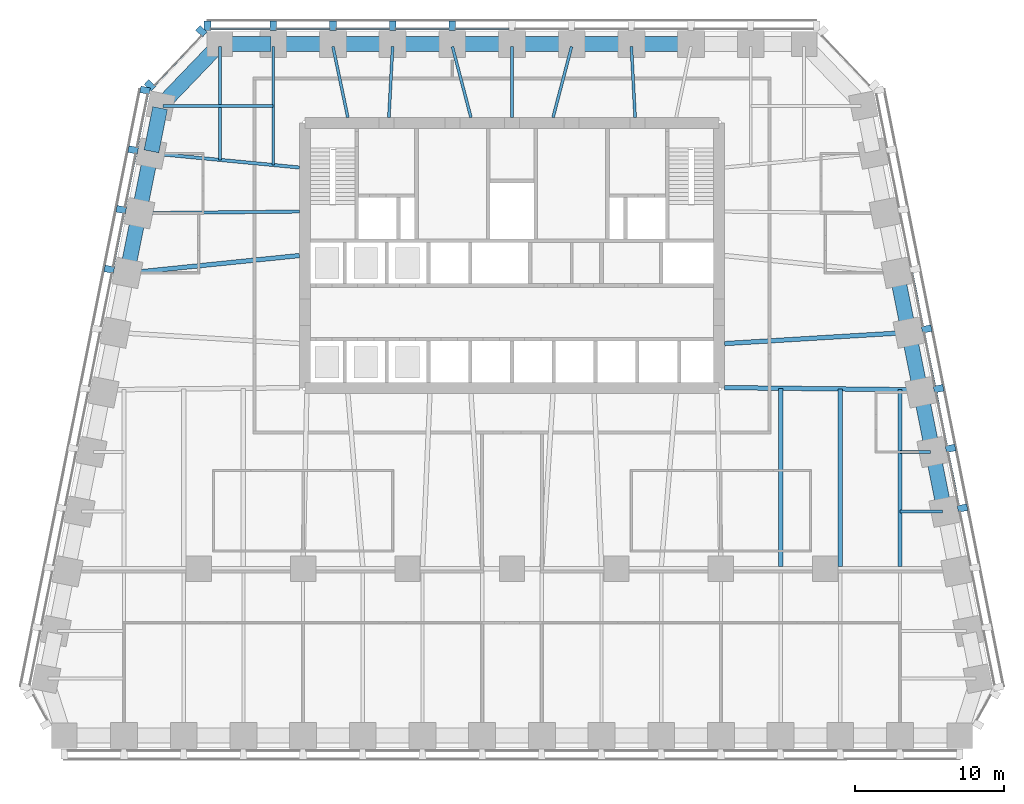
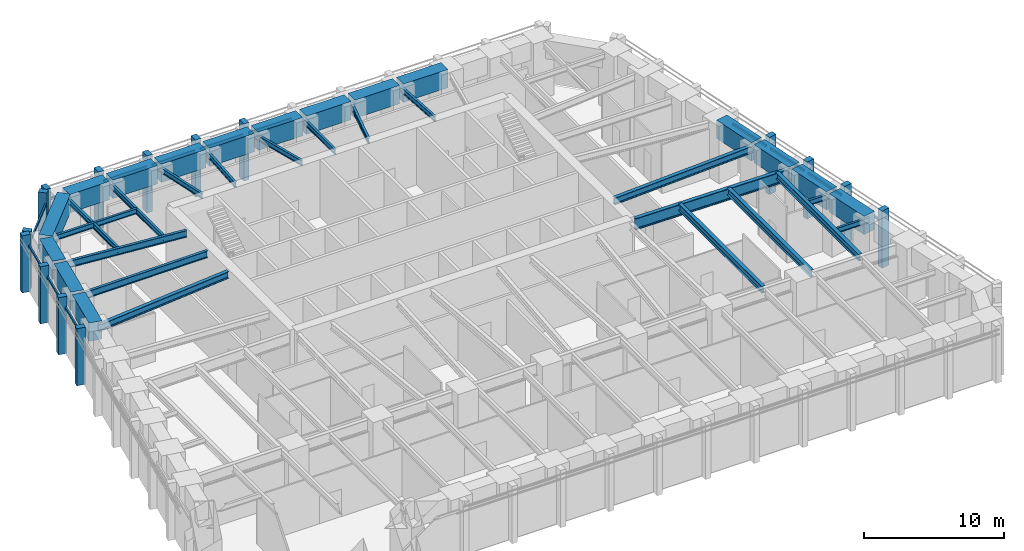
# One storey, part 3 of 11: 35 beams, 28 members, 4 elements without a shape of their own.
"""IFC4 building model written with IfcOpenShell, lengths in metres."""

from ifc_helpers import new_model, si_unit, direction, frame, origin, origin_2d, place, context, subcontext, project, spatial, rectangle, i_section, extrude, material, material_profile, profile_set, type_object, element, aggregate, save


model = new_model("IFC4")

# Units and contexts
model_context = context("Model", 3, precision=1e-05, world=origin(), true_north=direction((0.0, 1.0)))
body_context = subcontext(model_context, "Body", "Model", "MODEL_VIEW")
ifc_project = project(units=[si_unit("LENGTHUNIT", "METRE"), si_unit("AREAUNIT", "SQUARE_METRE"), si_unit("VOLUMEUNIT", "CUBIC_METRE"), si_unit("PLANEANGLEUNIT", "RADIAN"), si_unit("MASSUNIT", "GRAM", prefix="KILO")], contexts=[model_context])

# Site, building, storey
site_placement = place(None, origin())
site = spatial("IfcSite", under=ifc_project, at=site_placement, CompositionType="ELEMENT")
building_placement = place(site_placement, origin())
building = spatial("IfcBuilding", under=site, at=building_placement, Name="Isbrekke Arena Tower", CompositionType="ELEMENT")
storey_placement = place(building_placement, frame((0.0, 0.0, 98.0)))
storey = spatial("IfcBuildingStorey", under=building, at=storey_placement, Name="L21", CompositionType="ELEMENT", Elevation=98.0)

# Beams
ifc_material_1 = material(Name="Steel S355", Category="steel")
ifc_material_profile_1 = material_profile(ifc_material_1, i_section(OverallWidth=0.219970703125, OverallDepth=0.60009765625, WebThickness=0.011962890625, FlangeThickness=0.01904296875, FilletRadius=0.02392578125, at=origin_2d()), Name="IPE 600")
ifc_profile_set_1 = profile_set([ifc_material_profile_1], Name="Steel S355")
beam_type_1 = type_object("IfcBeamType", Name="B1 IPE 600", PredefinedType="BEAM", material=ifc_profile_set_1)
beam_1_placement = place(storey_placement, frame((-24.030517578125, 21.837158203125, 4.550048828125), z_axis=(0.995439798606, -0.095391862082, 0.0), x_axis=(0.095391862082, 0.995439798606, 0.0)))
element("IfcBeam", 1, at=beam_1_placement, inside=storey, type_object=beam_type_1, Name="B1 beam E-W02 L21", PredefinedType="BEAM", context=body_context, shape_type="SweptSolid", body=[
    extrude(i_section(OverallWidth=0.219970703125, OverallDepth=0.60009765625, WebThickness=0.011962890625, FlangeThickness=0.01904296875, FilletRadius=0.02392578125, at=origin_2d()), origin(), (0.0, 0.0, 1.0), 9.825439453125),
])
beam_2_placement = place(storey_placement, frame((-24.83984375, 17.838134765625, 4.550048828125), z_axis=(0.999944260169, 0.010558245831, 0.0), x_axis=(-0.010558245831, 0.999944260169, 0.0)))
element("IfcBeam", 2, at=beam_2_placement, inside=storey, type_object=beam_type_1, Name="B1 beam E-W03 L21", PredefinedType="BEAM", context=body_context, shape_type="SweptSolid", body=[
    extrude(i_section(OverallWidth=0.219970703125, OverallDepth=0.60009765625, WebThickness=0.011962890625, FlangeThickness=0.01904296875, FilletRadius=0.02392578125, at=origin_2d()), origin(), (0.0, 0.0, 1.0), 10.59033203125),
])
ifc_material_2 = material(Name="Steel S355", Category="steel")
ifc_material_profile_2 = material_profile(ifc_material_2, i_section(OverallWidth=0.18994140625, OverallDepth=0.449951171875, WebThickness=0.009521484375, FlangeThickness=0.0146484375, FilletRadius=0.02099609375, at=origin_2d()), Name="IPE 450")
ifc_profile_set_2 = profile_set([ifc_material_profile_2], Name="Steel S355")
beam_type_2 = type_object("IfcBeamType", Name="B2 IPE 450", PredefinedType="BEAM", material=ifc_profile_set_2)
beam_3_placement = place(storey_placement, frame((28.841064453125, -2.161865234375, 4.625), z_axis=(-1.0, 0.0, 0.0), x_axis=(0.0, -1.0, 0.0)))
element("IfcBeam", 3, at=beam_3_placement, inside=storey, type_object=beam_type_2, Name="B2 beam E-E04 L21", PredefinedType="BEAM", context=body_context, shape_type="SweptSolid", body=[
    extrude(i_section(OverallWidth=0.18994140625, OverallDepth=0.449951171875, WebThickness=0.009521484375, FlangeThickness=0.0146484375, FilletRadius=0.02099609375, at=origin_2d()), origin(), (0.0, 0.0, 1.0), 2.841064453125),
])
beam_4_placement = place(storey_placement, frame((28.041015625, 1.838134765625, 4.625), z_axis=(-1.0, 0.0, 0.0), x_axis=(0.0, -1.0, 0.0)))
element("IfcBeam", 4, at=beam_4_placement, inside=storey, type_object=beam_type_2, Name="B2 beam E-E05 L21", PredefinedType="BEAM", context=body_context, shape_type="SweptSolid", body=[
    extrude(i_section(OverallWidth=0.18994140625, OverallDepth=0.449951171875, WebThickness=0.009521484375, FlangeThickness=0.0146484375, FilletRadius=0.02099609375, at=origin_2d()), origin(), (0.0, 0.0, 1.0), 2.041015625),
])
beam_5_placement = place(storey_placement, frame((-23.40283203125, 25.029296875, 4.625), z_axis=(1.0, 0.0, 0.0), x_axis=(0.0, 1.0, 0.0)))
element("IfcBeam", 5, at=beam_5_placement, inside=storey, type_object=beam_type_2, Name="B2 beam E-W01 L21", PredefinedType="BEAM", context=body_context, shape_type="SweptSolid", body=[
    extrude(i_section(OverallWidth=0.18994140625, OverallDepth=0.449951171875, WebThickness=0.009521484375, FlangeThickness=0.0146484375, FilletRadius=0.02099609375, at=origin_2d()), origin(), (0.0, 0.0, 1.0), 7.40283203125),
])
ifc_material_3 = material(Name="Steel S355", Category="steel")
ifc_material_profile_3 = material_profile(ifc_material_3, i_section(OverallWidth=0.18994140625, OverallDepth=0.449951171875, WebThickness=0.009521484375, FlangeThickness=0.0146484375, FilletRadius=0.02099609375, at=origin_2d()), Name="IPE 450")
ifc_profile_set_3 = profile_set([ifc_material_profile_3], Name="Steel S355")
beam_type_3 = type_object("IfcBeamType", Name="B3 IPE 450", PredefinedType="BEAM", material=ifc_profile_set_3)
beam_6_placement = place(storey_placement, frame((-16.0, 29.02490234375, 4.625), z_axis=(0.0, -1.0, 0.0), x_axis=(1.0, 0.0, 0.0)))
element("IfcBeam", 6, at=beam_6_placement, inside=storey, type_object=beam_type_3, Name="B3 beam N-N10 L21", PredefinedType="BEAM", context=body_context, shape_type="SweptSolid", body=[
    extrude(i_section(OverallWidth=0.18994140625, OverallDepth=0.449951171875, WebThickness=0.009521484375, FlangeThickness=0.0146484375, FilletRadius=0.02099609375, at=origin_2d()), origin(), (0.0, 0.0, 1.0), 7.957275390625),
])
beam_7_placement = place(storey_placement, frame((-19.574951171875, 29.02490234375, 4.625), z_axis=(0.0, -1.0, 0.0), x_axis=(1.0, 0.0, 0.0)))
element("IfcBeam", 7, at=beam_7_placement, inside=storey, type_object=beam_type_3, Name="B3 beam N-N11 L21", PredefinedType="BEAM", context=body_context, shape_type="SweptSolid", body=[
    extrude(i_section(OverallWidth=0.18994140625, OverallDepth=0.449951171875, WebThickness=0.009521484375, FlangeThickness=0.0146484375, FilletRadius=0.02099609375, at=origin_2d()), origin(), (0.0, 0.0, 1.0), 7.61474609375),
])
beam_8_placement = place(storey_placement, frame((8.000244140625, 29.02001953125, 4.625), z_axis=(0.052287879538, -0.998632053187, 0.0), x_axis=(0.998632053187, 0.052287879538, 0.0)))
element("IfcBeam", 8, at=beam_8_placement, inside=storey, type_object=beam_type_3, Name="B3 beam N-N04 L21", PredefinedType="BEAM", context=body_context, shape_type="SweptSolid", body=[
    extrude(i_section(OverallWidth=0.18994140625, OverallDepth=0.449951171875, WebThickness=0.009521484375, FlangeThickness=0.0146484375, FilletRadius=0.02099609375, at=origin_2d()), origin(), (0.0, 0.0, 1.0), 4.776611328125),
])
beam_9_placement = place(storey_placement, frame((3.993896484375, 29.001708984375, 4.625), z_axis=(-0.253245319824, -0.967402092197, 0.0), x_axis=(0.967402092197, -0.253245319824, 0.0)))
element("IfcBeam", 9, at=beam_9_placement, inside=storey, type_object=beam_type_3, Name="B3 beam N-N05 L21", PredefinedType="BEAM", context=body_context, shape_type="SweptSolid", body=[
    extrude(i_section(OverallWidth=0.18994140625, OverallDepth=0.449951171875, WebThickness=0.009521484375, FlangeThickness=0.0146484375, FilletRadius=0.02099609375, at=origin_2d()), origin(), (0.0, 0.0, 1.0), 4.911865234375),
])
beam_10_placement = place(storey_placement, frame((0.0, 29.02490234375, 4.625), z_axis=(0.0, -1.0, 0.0), x_axis=(1.0, 0.0, 0.0)))
element("IfcBeam", 10, at=beam_10_placement, inside=storey, type_object=beam_type_3, Name="B3 beam N-N06 L21", PredefinedType="BEAM", context=body_context, shape_type="SweptSolid", body=[
    extrude(i_section(OverallWidth=0.18994140625, OverallDepth=0.449951171875, WebThickness=0.009521484375, FlangeThickness=0.0146484375, FilletRadius=0.02099609375, at=origin_2d()), origin(), (0.0, 0.0, 1.0), 4.77490234375),
])
beam_11_placement = place(storey_placement, frame((-3.993896484375, 29.001708984375, 4.625), z_axis=(0.253245319824, -0.967402092197, 0.0), x_axis=(0.967402092197, 0.253245319824, 0.0)))
element("IfcBeam", 11, at=beam_11_placement, inside=storey, type_object=beam_type_3, Name="B3 beam N-N07 L21", PredefinedType="BEAM", context=body_context, shape_type="SweptSolid", body=[
    extrude(i_section(OverallWidth=0.18994140625, OverallDepth=0.449951171875, WebThickness=0.009521484375, FlangeThickness=0.0146484375, FilletRadius=0.02099609375, at=origin_2d()), origin(), (0.0, 0.0, 1.0), 4.911865234375),
])
beam_12_placement = place(storey_placement, frame((-8.000244140625, 29.02001953125, 4.625), z_axis=(-0.052287879538, -0.998632053187, 0.0), x_axis=(0.998632053187, -0.052287879538, 0.0)))
element("IfcBeam", 12, at=beam_12_placement, inside=storey, type_object=beam_type_3, Name="B3 beam N-N08 L21", PredefinedType="BEAM", context=body_context, shape_type="SweptSolid", body=[
    extrude(i_section(OverallWidth=0.18994140625, OverallDepth=0.449951171875, WebThickness=0.009521484375, FlangeThickness=0.0146484375, FilletRadius=0.02099609375, at=origin_2d()), origin(), (0.0, 0.0, 1.0), 4.776611328125),
])
beam_13_placement = place(storey_placement, frame((-11.99609375, 29.005859375, 4.625), z_axis=(0.20499748459, -0.978762499952, 0.0), x_axis=(0.978762499952, 0.20499748459, 0.0)))
element("IfcBeam", 13, at=beam_13_placement, inside=storey, type_object=beam_type_3, Name="B3 beam N-N09 L21", PredefinedType="BEAM", context=body_context, shape_type="SweptSolid", body=[
    extrude(i_section(OverallWidth=0.18994140625, OverallDepth=0.449951171875, WebThickness=0.009521484375, FlangeThickness=0.0146484375, FilletRadius=0.02099609375, at=origin_2d()), origin(), (0.0, 0.0, 1.0), 4.859130859375),
])
ifc_material_4 = material(Name="Steel S355", Category="steel")
ifc_material_profile_4 = material_profile(ifc_material_4, i_section(OverallWidth=0.300048828125, OverallDepth=0.60009765625, WebThickness=0.015380859375, FlangeThickness=0.030029296875, FilletRadius=0.027099609375, at=origin_2d()), Name="HEB 600")
ifc_profile_set_4 = profile_set([ifc_material_profile_4], Name="Steel S355")
beam_type_4 = type_object("IfcBeamType", Name="B7 HEB 600", PredefinedType="BEAM", material=ifc_profile_set_4)
beam_14_placement = place(storey_placement, frame((18.0, -5.84912109375, 4.550048828125), z_axis=(0.0, 1.0, 0.0), x_axis=(-1.0, 0.0, 0.0)))
element("IfcBeam", 14, at=beam_14_placement, inside=storey, type_object=beam_type_4, Name="B7 beam C-M12 L21", PredefinedType="BEAM", context=body_context, shape_type="SweptSolid", body=[
    extrude(i_section(OverallWidth=0.300048828125, OverallDepth=0.60009765625, WebThickness=0.015380859375, FlangeThickness=0.030029296875, FilletRadius=0.027099609375, at=origin_2d()), origin(), (0.0, 0.0, 1.0), 11.956298828125),
])
beam_15_placement = place(storey_placement, frame((22.0, -5.84912109375, 4.550048828125), z_axis=(0.0, 1.0, 0.0), x_axis=(-1.0, 0.0, 0.0)))
element("IfcBeam", 15, at=beam_15_placement, inside=storey, type_object=beam_type_4, Name="B7 beam C-M13 L21", PredefinedType="BEAM", context=body_context, shape_type="SweptSolid", body=[
    extrude(i_section(OverallWidth=0.300048828125, OverallDepth=0.60009765625, WebThickness=0.015380859375, FlangeThickness=0.030029296875, FilletRadius=0.027099609375, at=origin_2d()), origin(), (0.0, 0.0, 1.0), 11.91064453125),
])
beam_16_placement = place(storey_placement, frame((26.0, -5.84912109375, 4.550048828125), z_axis=(0.0, 1.0, 0.0), x_axis=(-1.0, 0.0, 0.0)))
element("IfcBeam", 16, at=beam_16_placement, inside=storey, type_object=beam_type_4, Name="B7 beam C-M14 L21", PredefinedType="BEAM", context=body_context, shape_type="SweptSolid", body=[
    extrude(i_section(OverallWidth=0.300048828125, OverallDepth=0.60009765625, WebThickness=0.015380859375, FlangeThickness=0.030029296875, FilletRadius=0.027099609375, at=origin_2d()), origin(), (0.0, 0.0, 1.0), 11.864990234375),
])
beam_17_placement = place(storey_placement, frame((26.431884765625, 9.837646484375, 4.550048828125), z_axis=(-0.998172191876, -0.060434057993, 0.0), x_axis=(0.060434057993, -0.998172191876, 0.0)))
element("IfcBeam", 17, at=beam_17_placement, inside=storey, type_object=beam_type_4, Name="B7 beam E-E07 L21", PredefinedType="BEAM", context=body_context, shape_type="SweptSolid", body=[
    extrude(i_section(OverallWidth=0.300048828125, OverallDepth=0.60009765625, WebThickness=0.015380859375, FlangeThickness=0.030029296875, FilletRadius=0.027099609375, at=origin_2d()), origin(), (0.0, 0.0, 1.0), 12.2041015625),
])
beam_18_placement = place(storey_placement, frame((-25.6259765625, 13.83984375, 4.550048828125), z_axis=(0.994839949319, 0.10145676537, 0.0), x_axis=(-0.10145676537, 0.994839949319, 0.0)))
element("IfcBeam", 18, at=beam_18_placement, inside=storey, type_object=beam_type_4, Name="B7 beam E-W04 L21", PredefinedType="BEAM", context=body_context, shape_type="SweptSolid", body=[
    extrude(i_section(OverallWidth=0.300048828125, OverallDepth=0.60009765625, WebThickness=0.015380859375, FlangeThickness=0.030029296875, FilletRadius=0.027099609375, at=origin_2d()), origin(), (0.0, 0.0, 1.0), 11.43505859375),
])

# Curtain wall, members
ifc_material_5 = material(Name="Glazed aluminium curtain wall", Category="aluminium")
curtain_wall_type = type_object("IfcCurtainWallType", Name="CWS SKY LOBBY CURTAIN WALL", PredefinedType="USERDEFINED", material=ifc_material_5)
curtain_wall_1_placement = place(storey_placement, origin())
curtain_wall_1 = element("IfcCurtainWall", 19, at=curtain_wall_1_placement, inside=storey, type_object=curtain_wall_type, Name="CWS curtain wall L21-E", ObjectType="SKY LOBBY CURTAIN WALL", PredefinedType="USERDEFINED")
ifc_material_6 = material(Name="Aluminium mullion, pale brick slip cladding", Category="masonry")
ifc_material_profile_5 = material_profile(ifc_material_6, rectangle(XDim=0.449951171875, YDim=0.64990234375, at=origin_2d()), Name="PIER 450X650")
ifc_profile_set_5 = profile_set([ifc_material_profile_5], Name="Aluminium mullion, pale brick slip cladding")
member_type_1 = type_object("IfcMemberType", Name="CWS-M PIER MULLION 450 x 650", PredefinedType="MULLION", material=ifc_profile_set_5)
member_1_placement = place(storey_placement, frame((30.192138671875, -1.921630859375, 0.0), z_axis=(0.0, 0.0, 1.0), x_axis=(-0.196116135138, 0.980580675691, 0.0)))
member_1 = element("IfcMember", 20, at=member_1_placement, type_object=member_type_1, Name="CWS-M mullion 4", PredefinedType="MULLION", context=body_context, shape_type="SweptSolid", body=[
    extrude(rectangle(XDim=0.449951171875, YDim=0.64990234375, at=origin_2d()), origin(), (0.0, 0.0, 1.0), 5.0),
])
member_2_placement = place(storey_placement, frame((29.392333984375, 2.078369140625, 0.0), z_axis=(0.0, 0.0, 1.0), x_axis=(-0.196116135138, 0.980580675691, 0.0)))
member_2 = element("IfcMember", 21, at=member_2_placement, type_object=member_type_1, Name="CWS-M mullion 5", PredefinedType="MULLION", context=body_context, shape_type="SweptSolid", body=[
    extrude(rectangle(XDim=0.449951171875, YDim=0.64990234375, at=origin_2d()), origin(), (0.0, 0.0, 1.0), 5.0),
])
member_3_placement = place(storey_placement, frame((28.59228515625, 6.078369140625, 0.0), z_axis=(0.0, 0.0, 1.0), x_axis=(-0.196116135138, 0.980580675691, 0.0)))
member_3 = element("IfcMember", 22, at=member_3_placement, type_object=member_type_1, Name="CWS-M mullion 6", PredefinedType="MULLION", context=body_context, shape_type="SweptSolid", body=[
    extrude(rectangle(XDim=0.449951171875, YDim=0.64990234375, at=origin_2d()), origin(), (0.0, 0.0, 1.0), 5.0),
])
member_4_placement = place(storey_placement, frame((27.792236328125, 10.078369140625, 0.0), z_axis=(0.0, 0.0, 1.0), x_axis=(-0.196116135138, 0.980580675691, 0.0)))
member_4 = element("IfcMember", 23, at=member_4_placement, type_object=member_type_1, Name="CWS-M mullion 7", PredefinedType="MULLION", context=body_context, shape_type="SweptSolid", body=[
    extrude(rectangle(XDim=0.449951171875, YDim=0.64990234375, at=origin_2d()), origin(), (0.0, 0.0, 1.0), 5.0),
])

curtain_wall_2_placement = place(storey_placement, origin())
curtain_wall_2 = element("IfcCurtainWall", 24, at=curtain_wall_2_placement, inside=storey, type_object=curtain_wall_type, Name="CWS curtain wall L21-N", ObjectType="SKY LOBBY CURTAIN WALL", PredefinedType="USERDEFINED")
member_5_placement = place(storey_placement, frame((-4.0, 30.39990234375, 0.0), z_axis=(0.0, 0.0, 1.0), x_axis=(-1.0, 0.0, 0.0)))
member_5 = element("IfcMember", 25, at=member_5_placement, type_object=member_type_1, Name="CWS-M mullion 7", PredefinedType="MULLION", context=body_context, shape_type="SweptSolid", body=[
    extrude(rectangle(XDim=0.449951171875, YDim=0.64990234375, at=origin_2d()), origin(), (0.0, 0.0, 1.0), 5.0),
])
member_6_placement = place(storey_placement, frame((-8.0, 30.39990234375, 0.0), z_axis=(0.0, 0.0, 1.0), x_axis=(-1.0, 0.0, 0.0)))
member_6 = element("IfcMember", 26, at=member_6_placement, type_object=member_type_1, Name="CWS-M mullion 8", PredefinedType="MULLION", context=body_context, shape_type="SweptSolid", body=[
    extrude(rectangle(XDim=0.449951171875, YDim=0.64990234375, at=origin_2d()), origin(), (0.0, 0.0, 1.0), 5.0),
])
member_7_placement = place(storey_placement, frame((-12.0, 30.39990234375, 0.0), z_axis=(0.0, 0.0, 1.0), x_axis=(-1.0, 0.0, 0.0)))
member_7 = element("IfcMember", 27, at=member_7_placement, type_object=member_type_1, Name="CWS-M mullion 9", PredefinedType="MULLION", context=body_context, shape_type="SweptSolid", body=[
    extrude(rectangle(XDim=0.449951171875, YDim=0.64990234375, at=origin_2d()), origin(), (0.0, 0.0, 1.0), 5.0),
])
member_8_placement = place(storey_placement, frame((-16.0, 30.39990234375, 0.0), z_axis=(0.0, 0.0, 1.0), x_axis=(-1.0, 0.0, 0.0)))
member_8 = element("IfcMember", 28, at=member_8_placement, type_object=member_type_1, Name="CWS-M mullion 10", PredefinedType="MULLION", context=body_context, shape_type="SweptSolid", body=[
    extrude(rectangle(XDim=0.449951171875, YDim=0.64990234375, at=origin_2d()), origin(), (0.0, 0.0, 1.0), 5.0),
])
member_9_placement = place(storey_placement, frame((-20.39990234375, 30.39990234375, 0.0), z_axis=(0.0, 0.0, 1.0), x_axis=(-1.0, 0.0, 0.0)))
member_9 = element("IfcMember", 29, at=member_9_placement, type_object=member_type_1, Name="CWS-M mullion 11", PredefinedType="MULLION", context=body_context, shape_type="SweptSolid", body=[
    extrude(rectangle(XDim=0.449951171875, YDim=0.64990234375, at=origin_2d()), origin(), (0.0, 0.0, 1.0), 5.0),
])

curtain_wall_3_placement = place(storey_placement, origin())
curtain_wall_3 = element("IfcCurtainWall", 30, at=curtain_wall_3_placement, inside=storey, type_object=curtain_wall_type, Name="CWS curtain wall L21-NW", ObjectType="SKY LOBBY CURTAIN WALL", PredefinedType="USERDEFINED")
member_10_placement = place(storey_placement, frame((-20.813232421875, 30.036865234375, 0.0), z_axis=(0.0, 0.0, 1.0), x_axis=(-0.68874946192, -0.72499943359, 0.0)))
member_10 = element("IfcMember", 31, at=member_10_placement, type_object=member_type_1, Name="CWS-M mullion 1", PredefinedType="MULLION", context=body_context, shape_type="SweptSolid", body=[
    extrude(rectangle(XDim=0.449951171875, YDim=0.64990234375, at=origin_2d()), origin(), (0.0, 0.0, 1.0), 5.0),
])
member_11_placement = place(storey_placement, frame((-24.261962890625, 26.406494140625, 0.0), z_axis=(0.0, 0.0, 1.0), x_axis=(-0.68874946192, -0.72499943359, 0.0)))
member_11 = element("IfcMember", 32, at=member_11_placement, type_object=member_type_1, Name="CWS-M mullion 2", PredefinedType="MULLION", context=body_context, shape_type="SweptSolid", body=[
    extrude(rectangle(XDim=0.449951171875, YDim=0.64990234375, at=origin_2d()), origin(), (0.0, 0.0, 1.0), 5.0),
])

curtain_wall_4_placement = place(storey_placement, origin())
curtain_wall_4 = element("IfcCurtainWall", 33, at=curtain_wall_4_placement, inside=storey, type_object=curtain_wall_type, Name="CWS curtain wall L21-W", ObjectType="SKY LOBBY CURTAIN WALL", PredefinedType="USERDEFINED")
member_12_placement = place(storey_placement, frame((-24.59228515625, 26.078369140625, 0.0), z_axis=(0.0, 0.0, 1.0), x_axis=(-0.196116135138, -0.980580675691, 0.0)))
member_12 = element("IfcMember", 34, at=member_12_placement, type_object=member_type_1, Name="CWS-M mullion 1", PredefinedType="MULLION", context=body_context, shape_type="SweptSolid", body=[
    extrude(rectangle(XDim=0.449951171875, YDim=0.64990234375, at=origin_2d()), origin(), (0.0, 0.0, 1.0), 5.0),
])
member_13_placement = place(storey_placement, frame((-25.392333984375, 22.078369140625, 0.0), z_axis=(0.0, 0.0, 1.0), x_axis=(-0.196116135138, -0.980580675691, 0.0)))
member_13 = element("IfcMember", 35, at=member_13_placement, type_object=member_type_1, Name="CWS-M mullion 2", PredefinedType="MULLION", context=body_context, shape_type="SweptSolid", body=[
    extrude(rectangle(XDim=0.449951171875, YDim=0.64990234375, at=origin_2d()), origin(), (0.0, 0.0, 1.0), 5.0),
])
member_14_placement = place(storey_placement, frame((-26.192138671875, 18.078369140625, 0.0), z_axis=(0.0, 0.0, 1.0), x_axis=(-0.196116135138, -0.980580675691, 0.0)))
member_14 = element("IfcMember", 36, at=member_14_placement, type_object=member_type_1, Name="CWS-M mullion 3", PredefinedType="MULLION", context=body_context, shape_type="SweptSolid", body=[
    extrude(rectangle(XDim=0.449951171875, YDim=0.64990234375, at=origin_2d()), origin(), (0.0, 0.0, 1.0), 5.0),
])
member_15_placement = place(storey_placement, frame((-26.9921875, 14.078369140625, 0.0), z_axis=(0.0, 0.0, 1.0), x_axis=(-0.196116135138, -0.980580675691, 0.0)))
member_15 = element("IfcMember", 37, at=member_15_placement, type_object=member_type_1, Name="CWS-M mullion 4", PredefinedType="MULLION", context=body_context, shape_type="SweptSolid", body=[
    extrude(rectangle(XDim=0.449951171875, YDim=0.64990234375, at=origin_2d()), origin(), (0.0, 0.0, 1.0), 5.0),
])

# Member
ifc_material_7 = material(Name="Aluminium transom", Category="aluminium")
ifc_material_profile_6 = material_profile(ifc_material_7, rectangle(XDim=0.1201171875, YDim=0.199951171875, at=origin_2d()), Name="TRANSOM 120X200")
ifc_profile_set_6 = profile_set([ifc_material_profile_6], Name="Aluminium transom")
member_type_2 = type_object("IfcMemberType", Name="CWS-T TRANSOM 120 x 200", PredefinedType="USERDEFINED", material=ifc_profile_set_6)
member_16_placement = place(storey_placement, frame((29.927490234375, -1.7451171875, 4.0), z_axis=(-0.196090262229, 0.980585849918, 0.0), x_axis=(-0.980585849918, -0.196090262229, 0.0)))
member_16 = element("IfcMember", 38, at=member_16_placement, type_object=member_type_2, Name="CWS-T transom 4", ObjectType="TRANSOM", PredefinedType="USERDEFINED", context=body_context, shape_type="SweptSolid", body=[
    extrude(rectangle(XDim=0.1201171875, YDim=0.199951171875, at=origin_2d()), origin(), (0.0, 0.0, 1.0), 3.62939453125),
])

member_17_placement = place(storey_placement, frame((29.12744140625, 2.2548828125, 4.0), z_axis=(-0.196090262229, 0.980585849918, 0.0), x_axis=(-0.980585849918, -0.196090262229, 0.0)))
member_17 = element("IfcMember", 39, at=member_17_placement, type_object=member_type_2, Name="CWS-T transom 5", ObjectType="TRANSOM", PredefinedType="USERDEFINED", context=body_context, shape_type="SweptSolid", body=[
    extrude(rectangle(XDim=0.1201171875, YDim=0.199951171875, at=origin_2d()), origin(), (0.0, 0.0, 1.0), 3.62939453125),
])

member_18_placement = place(storey_placement, frame((28.327392578125, 6.2548828125, 4.0), z_axis=(-0.196090262229, 0.980585849918, 0.0), x_axis=(-0.980585849918, -0.196090262229, 0.0)))
member_18 = element("IfcMember", 40, at=member_18_placement, type_object=member_type_2, Name="CWS-T transom 6", ObjectType="TRANSOM", PredefinedType="USERDEFINED", context=body_context, shape_type="SweptSolid", body=[
    extrude(rectangle(XDim=0.1201171875, YDim=0.199951171875, at=origin_2d()), origin(), (0.0, 0.0, 1.0), 3.62939453125),
])

member_19_placement = place(storey_placement, frame((27.527587890625, 10.2548828125, 4.0), z_axis=(-0.196154943734, 0.980572913173, 0.0), x_axis=(-0.980572913173, -0.196154943734, 0.0)))
member_19 = element("IfcMember", 41, at=member_19_placement, type_object=member_type_2, Name="CWS-T transom 7", ObjectType="TRANSOM", PredefinedType="USERDEFINED", context=body_context, shape_type="SweptSolid", body=[
    extrude(rectangle(XDim=0.1201171875, YDim=0.199951171875, at=origin_2d()), origin(), (0.0, 0.0, 1.0), 3.62939453125),
])

aggregate(curtain_wall_1, [member_1, member_2, member_3, member_4, member_16, member_17, member_18, member_19])

member_20_placement = place(storey_placement, frame((-0.22509765625, 30.175048828125, 4.0), z_axis=(-1.0, 0.0, 0.0), x_axis=(0.0, -1.0, 0.0)))
member_20 = element("IfcMember", 42, at=member_20_placement, type_object=member_type_2, Name="CWS-T transom 6", ObjectType="TRANSOM", PredefinedType="USERDEFINED", context=body_context, shape_type="SweptSolid", body=[
    extrude(rectangle(XDim=0.1201171875, YDim=0.199951171875, at=origin_2d()), origin(), (0.0, 0.0, 1.0), 3.5498046875),
])

member_21_placement = place(storey_placement, frame((-4.22509765625, 30.175048828125, 4.0), z_axis=(-1.0, 0.0, 0.0), x_axis=(0.0, -1.0, 0.0)))
member_21 = element("IfcMember", 43, at=member_21_placement, type_object=member_type_2, Name="CWS-T transom 7", ObjectType="TRANSOM", PredefinedType="USERDEFINED", context=body_context, shape_type="SweptSolid", body=[
    extrude(rectangle(XDim=0.1201171875, YDim=0.199951171875, at=origin_2d()), origin(), (0.0, 0.0, 1.0), 3.5498046875),
])

member_22_placement = place(storey_placement, frame((-8.22509765625, 30.175048828125, 4.0), z_axis=(-1.0, 0.0, 0.0), x_axis=(0.0, -1.0, 0.0)))
member_22 = element("IfcMember", 44, at=member_22_placement, type_object=member_type_2, Name="CWS-T transom 8", ObjectType="TRANSOM", PredefinedType="USERDEFINED", context=body_context, shape_type="SweptSolid", body=[
    extrude(rectangle(XDim=0.1201171875, YDim=0.199951171875, at=origin_2d()), origin(), (0.0, 0.0, 1.0), 3.5498046875),
])

member_23_placement = place(storey_placement, frame((-12.22509765625, 30.175048828125, 4.0), z_axis=(-1.0, 0.0, 0.0), x_axis=(0.0, -1.0, 0.0)))
member_23 = element("IfcMember", 45, at=member_23_placement, type_object=member_type_2, Name="CWS-T transom 9", ObjectType="TRANSOM", PredefinedType="USERDEFINED", context=body_context, shape_type="SweptSolid", body=[
    extrude(rectangle(XDim=0.1201171875, YDim=0.199951171875, at=origin_2d()), origin(), (0.0, 0.0, 1.0), 3.5498046875),
])

member_24_placement = place(storey_placement, frame((-16.22509765625, 30.175048828125, 4.0), z_axis=(-1.0, 0.0, 0.0), x_axis=(0.0, -1.0, 0.0)))
member_24 = element("IfcMember", 46, at=member_24_placement, type_object=member_type_2, Name="CWS-T transom 10", ObjectType="TRANSOM", PredefinedType="USERDEFINED", context=body_context, shape_type="SweptSolid", body=[
    extrude(rectangle(XDim=0.1201171875, YDim=0.199951171875, at=origin_2d()), origin(), (0.0, 0.0, 1.0), 3.949951171875),
])

aggregate(curtain_wall_2, [member_5, member_6, member_7, member_8, member_9, member_20, member_21, member_22, member_23, member_24])

member_25_placement = place(storey_placement, frame((-20.80517578125, 29.71875, 4.0), z_axis=(-0.688739606035, -0.725008796552, 0.0), x_axis=(0.725008796552, -0.688739606035, 0.0)))
member_25 = element("IfcMember", 47, at=member_25_placement, type_object=member_type_2, Name="CWS-T transom 1", ObjectType="TRANSOM", PredefinedType="USERDEFINED", context=body_context, shape_type="SweptSolid", body=[
    extrude(rectangle(XDim=0.1201171875, YDim=0.199951171875, at=origin_2d()), origin(), (0.0, 0.0, 1.0), 4.55712890625),
])

aggregate(curtain_wall_3, [member_10, member_11, member_25])

member_26_placement = place(storey_placement, frame((-24.415771484375, 25.813720703125, 4.0), z_axis=(-0.196090262229, -0.980585849918, 0.0), x_axis=(0.980585849918, -0.196090262229, 0.0)))
member_26 = element("IfcMember", 48, at=member_26_placement, type_object=member_type_2, Name="CWS-T transom 1", ObjectType="TRANSOM", PredefinedType="USERDEFINED", context=body_context, shape_type="SweptSolid", body=[
    extrude(rectangle(XDim=0.1201171875, YDim=0.199951171875, at=origin_2d()), origin(), (0.0, 0.0, 1.0), 3.62939453125),
])

member_27_placement = place(storey_placement, frame((-25.2158203125, 21.813720703125, 4.0), z_axis=(-0.196090262229, -0.980585849918, 0.0), x_axis=(0.980585849918, -0.196090262229, 0.0)))
member_27 = element("IfcMember", 49, at=member_27_placement, type_object=member_type_2, Name="CWS-T transom 2", ObjectType="TRANSOM", PredefinedType="USERDEFINED", context=body_context, shape_type="SweptSolid", body=[
    extrude(rectangle(XDim=0.1201171875, YDim=0.199951171875, at=origin_2d()), origin(), (0.0, 0.0, 1.0), 3.62939453125),
])

member_28_placement = place(storey_placement, frame((-26.015625, 17.813720703125, 4.0), z_axis=(-0.196154943734, -0.980572913173, 0.0), x_axis=(0.980572913173, -0.196154943734, 0.0)))
member_28 = element("IfcMember", 50, at=member_28_placement, type_object=member_type_2, Name="CWS-T transom 3", ObjectType="TRANSOM", PredefinedType="USERDEFINED", context=body_context, shape_type="SweptSolid", body=[
    extrude(rectangle(XDim=0.1201171875, YDim=0.199951171875, at=origin_2d()), origin(), (0.0, 0.0, 1.0), 3.62939453125),
])

aggregate(curtain_wall_4, [member_12, member_13, member_14, member_15, member_26, member_27, member_28])

# Beams
ifc_material_8 = material(Name="Steel S355", Category="steel")
ifc_material_profile_7 = material_profile(ifc_material_8, i_section(OverallWidth=0.302001953125, OverallDepth=1.008056640625, WebThickness=0.02099609375, FlangeThickness=0.0400390625, FilletRadius=0.030029296875, at=origin_2d()), Name="HEM 1000")
ifc_profile_set_7 = profile_set([ifc_material_profile_7], Name="Steel S355")
beam_type_5 = type_object("IfcBeamType", Name="G2 HEM 1000", PredefinedType="BEAM", material=ifc_profile_set_7)
beam_19_placement = place(storey_placement, frame((14.25, 6.14990234375, 4.345947265625), z_axis=(0.999934928157, -0.011407867963, 0.0), x_axis=(0.011407867963, 0.999934928157, 0.0)))
element("IfcBeam", 51, at=beam_19_placement, inside=storey, type_object=beam_type_5, Name="G2 beam G2-E L21", PredefinedType="BEAM", context=body_context, shape_type="SweptSolid", body=[
    extrude(i_section(OverallWidth=0.302001953125, OverallDepth=1.008056640625, WebThickness=0.02099609375, FlangeThickness=0.0400390625, FilletRadius=0.030029296875, at=origin_2d()), origin(), (0.0, 0.0, 1.0), 13.140380859375),
])
ifc_material_9 = material(Name="Concrete B80 (C80/95)", Category="concrete")
ifc_material_profile_8 = material_profile(ifc_material_9, rectangle(XDim=1.0, YDim=1.60009765625, at=origin_2d()), Name="RC 1000x1600")
ifc_profile_set_8 = profile_set([ifc_material_profile_8], Name="Concrete B80 (C80/95)")
beam_type_6 = type_object("IfcBeamType", Name="SB2 RC 1000 x 1600", PredefinedType="SPANDREL", material=ifc_profile_set_8)
for number, where, z_axis, x_axis, name in (
    (52, (28.961669921875, -2.0146484375, 4.199951171875), (-0.196128558387, 0.980578190959, 0.0), (-0.980578190959, -0.196128558387, 0.0), "SB2 spandrel E04-E05 L21"),
    (53, (28.16162109375, 1.9853515625, 4.199951171875), (-0.196128558387, 0.980578190959, 0.0), (-0.980578190959, -0.196128558387, 0.0), "SB2 spandrel E05-E06 L21"),
    (54, (27.361572265625, 5.9853515625, 4.199951171875), (-0.196128558387, 0.980578190959, 0.0), (-0.980578190959, -0.196128558387, 0.0), "SB2 spandrel E06-E07 L21"),
):
    element("IfcBeam", number, at=place(storey_placement, frame(where, z_axis=z_axis, x_axis=x_axis)), inside=storey, type_object=beam_type_6, Name=name, PredefinedType="SPANDREL", context=body_context, shape_type="SweptSolid", body=[
        extrude(rectangle(XDim=1.0, YDim=1.60009765625, at=origin_2d()), origin(), (0.0, 0.0, 1.0), 3.779296875),
    ])
beam_20_placement = place(storey_placement, frame((26.5615234375, 9.9853515625, 4.199951171875), z_axis=(-0.1960664412, 0.980590613169, 0.0), x_axis=(-0.980590613169, -0.1960664412, 0.0)))
element("IfcBeam", 55, at=beam_20_placement, inside=storey, type_object=beam_type_6, Name="SB2 spandrel E07-E08 L21", PredefinedType="SPANDREL", context=body_context, shape_type="SweptSolid", body=[
    extrude(rectangle(XDim=1.0, YDim=1.60009765625, at=origin_2d()), origin(), (0.0, 0.0, 1.0), 3.779052734375),
])
for number, where, z_axis, x_axis, name in (
    (56, (11.85009765625, 29.175048828125, 4.199951171875), (-1.0, 0.0, 0.0), (0.0, -1.0, 0.0), "SB2 spandrel N03-N04 L21"),
    (57, (7.85009765625, 29.175048828125, 4.199951171875), (-1.0, 0.0, 0.0), (0.0, -1.0, 0.0), "SB2 spandrel N04-N05 L21"),
    (58, (3.85009765625, 29.175048828125, 4.199951171875), (-1.0, 0.0, 0.0), (0.0, -1.0, 0.0), "SB2 spandrel N05-N06 L21"),
    (59, (-0.14990234375, 29.175048828125, 4.199951171875), (-1.0, 0.0, 0.0), (0.0, -1.0, 0.0), "SB2 spandrel N06-N07 L21"),
    (60, (-4.14990234375, 29.175048828125, 4.199951171875), (-1.0, 0.0, 0.0), (0.0, -1.0, 0.0), "SB2 spandrel N07-N08 L21"),
    (61, (-8.14990234375, 29.175048828125, 4.199951171875), (-1.0, 0.0, 0.0), (0.0, -1.0, 0.0), "SB2 spandrel N08-N09 L21"),
    (62, (-12.14990234375, 29.175048828125, 4.199951171875), (-1.0, 0.0, 0.0), (0.0, -1.0, 0.0), "SB2 spandrel N09-N10 L21"),
):
    element("IfcBeam", number, at=place(storey_placement, frame(where, z_axis=z_axis, x_axis=x_axis)), inside=storey, type_object=beam_type_6, Name=name, PredefinedType="SPANDREL", context=body_context, shape_type="SweptSolid", body=[
        extrude(rectangle(XDim=1.0, YDim=1.60009765625, at=origin_2d()), origin(), (0.0, 0.0, 1.0), 3.7001953125),
    ])
beam_21_placement = place(storey_placement, frame((-16.14990234375, 29.175048828125, 4.199951171875), z_axis=(-1.0, 0.0, 0.0), x_axis=(0.0, -1.0, 0.0)))
element("IfcBeam", 63, at=beam_21_placement, inside=storey, type_object=beam_type_6, Name="SB2 spandrel N10-N11 L21", PredefinedType="SPANDREL", context=body_context, shape_type="SweptSolid", body=[
    extrude(rectangle(XDim=1.0, YDim=1.60009765625, at=origin_2d()), origin(), (0.0, 0.0, 1.0), 3.275146484375),
])
beam_22_placement = place(storey_placement, frame((-19.678955078125, 29.066650390625, 4.199951171875), z_axis=(-0.692339547635, -0.721571861134, 0.0), x_axis=(0.721571861134, -0.692339547635, 0.0)))
element("IfcBeam", 64, at=beam_22_placement, inside=storey, type_object=beam_type_6, Name="SB2 spandrel N11-W01 L21", PredefinedType="SPANDREL", context=body_context, shape_type="SweptSolid", body=[
    extrude(rectangle(XDim=1.0, YDim=1.60009765625, at=origin_2d()), origin(), (0.0, 0.0, 1.0), 5.4453125),
])
beam_23_placement = place(storey_placement, frame((-23.582275390625, 24.882080078125, 4.199951171875), z_axis=(-0.196116135138, -0.980580675691, 0.0), x_axis=(0.980580675691, -0.196116135138, 0.0)))
element("IfcBeam", 65, at=beam_23_placement, inside=storey, type_object=beam_type_6, Name="SB2 spandrel W01-W02 L21", PredefinedType="SPANDREL", context=body_context, shape_type="SweptSolid", body=[
    extrude(rectangle(XDim=1.0, YDim=1.60009765625, at=origin_2d()), origin(), (0.0, 0.0, 1.0), 2.9541015625),
])
for number, where, z_axis, x_axis, name in (
    (66, (-24.220458984375, 21.691162109375, 4.199951171875), (-0.196128558387, -0.980578190959, 0.0), (0.980578190959, -0.196128558387, 0.0), "SB2 spandrel W02-W03 L21"),
    (67, (-25.0205078125, 17.691162109375, 4.199951171875), (-0.196128558387, -0.980578190959, 0.0), (0.980578190959, -0.196128558387, 0.0), "SB2 spandrel W03-W04 L21"),
):
    element("IfcBeam", number, at=place(storey_placement, frame(where, z_axis=z_axis, x_axis=x_axis)), inside=storey, type_object=beam_type_6, Name=name, PredefinedType="SPANDREL", context=body_context, shape_type="SweptSolid", body=[
        extrude(rectangle(XDim=1.0, YDim=1.60009765625, at=origin_2d()), origin(), (0.0, 0.0, 1.0), 3.779296875),
    ])

save(model, "model.ifc")
